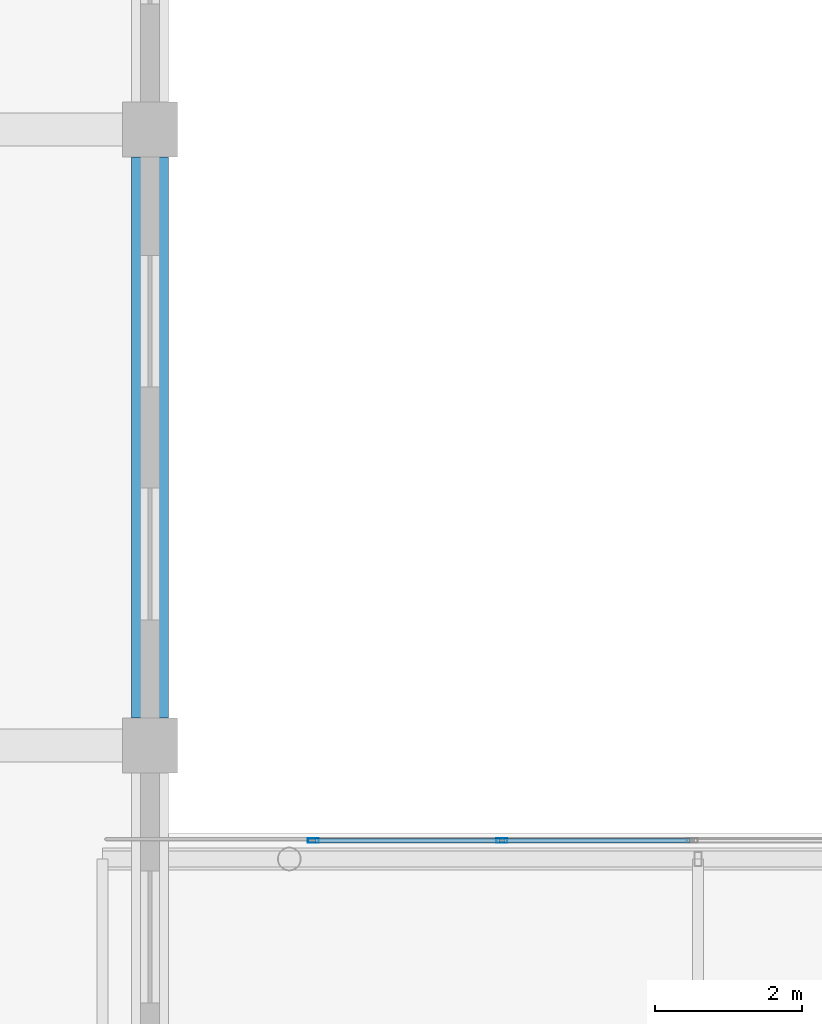
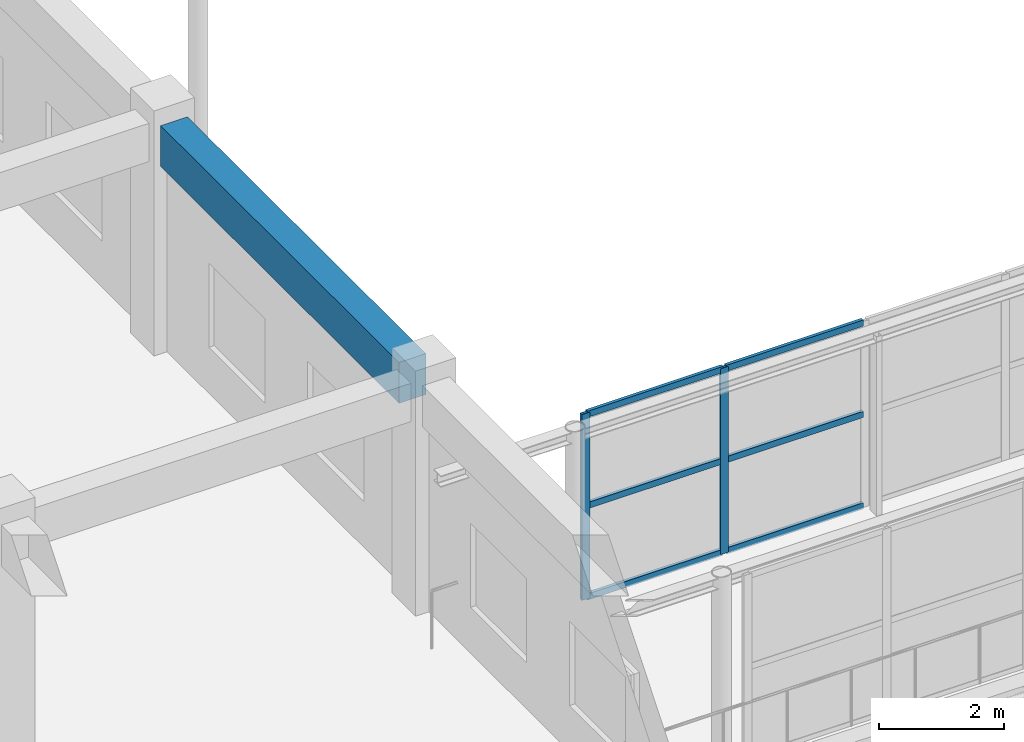
# One storey, part 72 of 175: 8 members, 1 beam, 1 element without a shape of its own.
"""IFC4 building model written with IfcOpenShell, lengths in metres."""

import ifcopenshell
import ifcopenshell.guid

model = None  # the IFC model being written
_history = None  # IfcOwnerHistory: only IFC2X3 demands one
_inside = {}  # id of a spatial element -> (the spatial element, [elements in it])
_under = {}  # id of a project, library or spatial element -> (it, [spatial elements below it])
_declared = {}  # id of a project -> (the project, [libraries it declares])
_typed = {}  # id of a type object -> (the type object, [elements of that type])
_made_of = {}  # id of a material, layer set ... -> (it, [elements and type objects made of it])


def new_model(schema):
    """Start an empty IFC model of exactly this schema.

    Asked for "IFC4X3", IfcOpenShell would pick the latest addendum, in which some entities
    have other attributes; the version numbers below select the first issue.
    IFC2X3 requires an IfcOwnerHistory on every rooted entity: one is made here for all.
    """
    global model, _history
    if schema == "IFC4X3":
        model = ifcopenshell.file(schema_version=(4, 3, 0, 0))
    else:
        model = ifcopenshell.file(schema=schema)
    _inside.clear()
    _under.clear()
    _declared.clear()
    _typed.clear()
    _made_of.clear()
    _history = None
    if model.schema == "IFC2X3":
        org = make("IfcOrganization", Name="unknown")
        user = make(
            "IfcPersonAndOrganization",
            ThePerson=make("IfcPerson", FamilyName="unknown"),
            TheOrganization=org,
        )
        app = make(
            "IfcApplication",
            ApplicationDeveloper=org,
            Version="unknown",
            ApplicationFullName="unknown",
            ApplicationIdentifier="unknown",
        )
        _history = make(
            "IfcOwnerHistory",
            OwningUser=user,
            OwningApplication=app,
            ChangeAction="ADDED",
            CreationDate=0,
        )
    return model


def make(cls, **values):
    """One entity of the class cls with the attributes given. An attribute that is None is left unset."""
    return model.create_entity(
        cls, **{name: value for name, value in values.items() if value is not None}
    )


def rooted(cls, **values):
    """An entity with a GlobalId (a new one), such as an element, a storey or a relation."""
    return make(cls, GlobalId=ifcopenshell.guid.new(), OwnerHistory=_history, **values)


def si_unit(unit_type, name, prefix=None):
    """IfcSIUnit, for example si_unit("LENGTHUNIT", "METRE", prefix="MILLI")."""
    return make("IfcSIUnit", UnitType=unit_type, Prefix=prefix, Name=name)


def assignment(units):
    """IfcUnitAssignment: the units of a project."""
    return None if units is None else make("IfcUnitAssignment", Units=units)


def point(xyz):
    """IfcCartesianPoint."""
    return None if xyz is None else make("IfcCartesianPoint", Coordinates=xyz)


def direction(xyz):
    """IfcDirection."""
    return None if xyz is None else make("IfcDirection", DirectionRatios=xyz)


def frame(location, z_axis=None, x_axis=None):
    """IfcAxis2Placement3D, a coordinate frame: its origin and axes. An axis left out is left unset."""
    return make(
        "IfcAxis2Placement3D",
        Location=point(location),
        Axis=direction(z_axis),
        RefDirection=direction(x_axis),
    )


def frame_2d(location, x_axis=None):
    """IfcAxis2Placement2D, a coordinate frame in the plane: its origin and x axis."""
    return make(
        "IfcAxis2Placement2D", Location=point(location), RefDirection=direction(x_axis)
    )


def origin():
    """The frame at (0, 0, 0) with its axes left unset."""
    return frame((0.0, 0.0, 0.0))


def origin_2d():
    """The frame at (0, 0) in the plane with its x axis left unset."""
    return frame_2d((0.0, 0.0))


def place(relative_to, where):
    """IfcLocalPlacement: puts the frame where relative to a parent placement (None: the world)."""
    return make(
        "IfcLocalPlacement", PlacementRelTo=relative_to, RelativePlacement=where
    )


def context(
    kind, dimensions, precision=None, world=None, true_north=None, identifier=None
):
    """IfcGeometricRepresentationContext, for example the 3D "Model" context."""
    return make(
        "IfcGeometricRepresentationContext",
        ContextIdentifier=identifier,
        ContextType=kind,
        CoordinateSpaceDimension=dimensions,
        Precision=precision,
        WorldCoordinateSystem=world,
        TrueNorth=true_north,
    )


def subcontext(parent, identifier, kind, view, scale=None):
    """IfcGeometricRepresentationSubContext, for example "Body" below "Model"."""
    return make(
        "IfcGeometricRepresentationSubContext",
        ContextIdentifier=identifier,
        ContextType=kind,
        ParentContext=parent,
        TargetScale=scale,
        TargetView=view,
    )


def project(units=None, contexts=None):
    """IfcProject with its units and contexts."""
    return rooted(
        "IfcProject",
        Name="project",
        RepresentationContexts=contexts,
        UnitsInContext=assignment(units),
    )


def spatial(cls, under=None, at=None, **own):
    """A site, building, storey or space (cls), placed at a placement, below another one or the project."""
    s = rooted(cls, ObjectPlacement=at, **own)
    if under is not None:
        _under.setdefault(under.id(), (under, []))[1].append(s)
    return s


def profile(cls, at=None, kind="AREA", **sizes):
    """A parametric profile (cls). Its sizes go by their IFC names, for example OverallWidth=200.0."""
    return make(cls, ProfileType=kind, Position=at, **sizes)


def rectangle(**sizes):
    """IfcRectangleProfileDef."""
    return profile("IfcRectangleProfileDef", **sizes)


def hollow_rectangle(**sizes):
    """IfcRectangleHollowProfileDef."""
    return profile("IfcRectangleHollowProfileDef", **sizes)


def extrude(swept, where, along, depth):
    """IfcExtrudedAreaSolid: the profile swept, set in the frame where, extruded along a direction by depth."""
    return make(
        "IfcExtrudedAreaSolid",
        SweptArea=swept,
        Position=where,
        ExtrudedDirection=direction(along),
        Depth=depth,
    )


def shape(context_of_items, identifier, shape_type, items):
    """IfcShapeRepresentation: the items that make up one representation, for example the "Body"."""
    return make(
        "IfcShapeRepresentation",
        ContextOfItems=context_of_items,
        RepresentationIdentifier=identifier,
        RepresentationType=shape_type,
        Items=items,
    )


def material(Name=None, Category=None):
    """IfcMaterial."""
    return make("IfcMaterial", Name=Name, Category=Category)


def layer(
    of_material, thickness, ventilated=None, Name=None, Category=None, Priority=None
):
    """IfcMaterialLayer: one layer of a wall or slab, of a material (None: an air gap)."""
    return make(
        "IfcMaterialLayer",
        Material=of_material,
        LayerThickness=thickness,
        IsVentilated=ventilated,
        Name=Name,
        Category=Category,
        Priority=Priority,
    )


def layer_set(layers, Name=None):
    """IfcMaterialLayerSet."""
    return make("IfcMaterialLayerSet", MaterialLayers=layers, LayerSetName=Name)


def material_profile(
    of_material, cross_section, Name=None, Category=None, Priority=None
):
    """IfcMaterialProfile: a cross section and its material."""
    return make(
        "IfcMaterialProfile",
        Name=Name,
        Material=of_material,
        Profile=cross_section,
        Priority=Priority,
        Category=Category,
    )


def profile_set(profiles, Name=None, composite=None):
    """IfcMaterialProfileSet."""
    return make(
        "IfcMaterialProfileSet",
        Name=Name,
        MaterialProfiles=profiles,
        CompositeProfile=composite,
    )


def made_of(thing, what):
    """Note that an element or type object is made of a material, layer set ...; save() writes the relation."""
    if what is not None:
        _made_of.setdefault(what.id(), (what, []))[1].append(thing)
    return thing


def type_object(cls, material=None, **own):
    """A type object (cls), such as IfcWallType, which elements share."""
    return made_of(rooted(cls, **own), material)


def element(
    cls,
    number,
    at=None,
    inside=None,
    cuts=None,
    type_object=None,
    material=None,
    context=None,
    identifier="Body",
    shape_type=None,
    held_by="IfcProductDefinitionShape",
    body=None,
    shapes=None,
    **own,
):
    """One element of the class cls, such as IfcWall. Its Tag is "e" and its number.

    at: its placement. inside: the storey or other place that contains it. cuts: it is an
    opening in that element (IfcRelVoidsElement). A single representation is given by context,
    identifier, shape_type and body (its items); several are given by shapes. held_by: the class
    of the entity that holds the representations. save() writes the other relations.
    """
    e = rooted(cls, Tag="e%d" % number, ObjectPlacement=at, **own)
    if body is not None:
        shapes = [shape(context, identifier, shape_type, body)]
    if shapes is not None:
        e.Representation = make(held_by, Representations=shapes)
    if inside is not None:
        _inside.setdefault(inside.id(), (inside, []))[1].append(e)
    if cuts is not None:
        rooted(
            "IfcRelVoidsElement", RelatingBuildingElement=cuts, RelatedOpeningElement=e
        )
    if type_object is not None:
        _typed.setdefault(type_object.id(), (type_object, []))[1].append(e)
    return made_of(e, material)


def aggregate(whole, parts):
    """IfcRelAggregates: a whole, such as a stair, and the parts it consists of."""
    return rooted("IfcRelAggregates", RelatingObject=whole, RelatedObjects=parts)


def save(model, path):
    """Write the relations noted so far, then the file.

    IfcRelAggregates (storeys below a building ...), IfcRelContainedInSpatialStructure (elements
    in a storey), IfcRelDefinesByType, IfcRelAssociatesMaterial and IfcRelDeclares: one each for
    every whole, place, type object, material and project.
    """
    for whole, parts in _under.values():
        aggregate(whole, parts)
    for where, things in _inside.values():
        rooted(
            "IfcRelContainedInSpatialStructure",
            RelatedElements=things,
            RelatingStructure=where,
        )
    for kind, things in _typed.values():
        rooted("IfcRelDefinesByType", RelatedObjects=things, RelatingType=kind)
    for what, things in _made_of.values():
        rooted("IfcRelAssociatesMaterial", RelatedObjects=things, RelatingMaterial=what)
    for by, libraries in _declared.values():
        rooted("IfcRelDeclares", RelatingContext=by, RelatedDefinitions=libraries)
    model.write(path)


model = new_model("IFC4")

# Units and contexts
model_context = context("Model", 3, precision=1e-05, world=origin(), true_north=direction((0.0, 1.0)))
body_context = subcontext(model_context, "Body", "Model", "MODEL_VIEW")
ifc_project = project(units=[si_unit("LENGTHUNIT", "METRE"), si_unit("AREAUNIT", "SQUARE_METRE"), si_unit("VOLUMEUNIT", "CUBIC_METRE"), si_unit("PLANEANGLEUNIT", "RADIAN"), si_unit("MASSUNIT", "GRAM", prefix="KILO")], contexts=[model_context])

# Site, building, storey
site_placement = place(None, origin())
site = spatial("IfcSite", under=ifc_project, at=site_placement, CompositionType="ELEMENT")
building_placement = place(site_placement, origin())
building = spatial("IfcBuilding", under=site, at=building_placement, Name="Zizhar Promenade General Hospital", CompositionType="ELEMENT")
storey_placement = place(building_placement, frame((0.0, 0.0, 4.800048828125)))
storey = spatial("IfcBuildingStorey", under=building, at=storey_placement, Name="L01", CompositionType="ELEMENT", Elevation=4.800048828125)

# Beam
ifc_material_1 = material(Name="Concrete C35/45", Category="concrete")
ifc_material_profile_1 = material_profile(ifc_material_1, rectangle(XDim=0.5, YDim=0.800048828125, at=origin_2d()))
ifc_profile_set_1 = profile_set([ifc_material_profile_1], Name="Concrete C35/45")
beam_type = type_object("IfcBeamType", Name="BM-RC-500x800", PredefinedType="BEAM", material=ifc_profile_set_1)
beam_placement = place(storey_placement, frame((70.199951171875, 67.574951171875, 4.070068359375), z_axis=(0.0, 1.0, 0.0), x_axis=(-1.0, 0.0, 0.0)))
element("IfcBeam", 1, at=beam_placement, inside=storey, type_object=beam_type, Name="Grid Beam Y L01 (9-8)", PredefinedType="BEAM", context=body_context, shape_type="SweptSolid", body=[
    extrude(rectangle(XDim=0.5, YDim=0.800048828125, at=origin_2d()), origin(), (0.0, 0.0, 1.0), 7.650146484375),
])

# Curtain wall, members
ifc_material_2 = material(Name="Anodised aluminium 6063-T6 and low-E glass", Category="aluminium")
ifc_layer = layer(ifc_material_2, 0.159912109375)
ifc_layer_set = layer_set([ifc_layer], Name="Anodised aluminium 6063-T6 and low-E glass")
curtain_wall_type = type_object("IfcCurtainWallType", Name="CW-SKY-GLZ", PredefinedType="NOTDEFINED", material=ifc_layer_set)
curtain_wall_placement = place(storey_placement, origin())
curtain_wall = element("IfcCurtainWall", 2, at=curtain_wall_placement, inside=storey, type_object=curtain_wall_type, Name="Courtyard Clinical Skybridge Level L01 North Glazing 1", PredefinedType="NOTDEFINED")
ifc_material_3 = material(Name="Anodised aluminium 6063-T6", Category="aluminium")
ifc_material_profile_2 = material_profile(ifc_material_3, hollow_rectangle(XDim=0.06005859375, YDim=0.14990234375, WallThickness=0.00390625, at=origin_2d()))
ifc_profile_set_2 = profile_set([ifc_material_profile_2], Name="Anodised aluminium 6063-T6")
member_type_1 = type_object("IfcMemberType", Name="CWM-ALU-150x60", PredefinedType="MULLION", material=ifc_profile_set_2)
member_1_placement = place(storey_placement, frame((72.429931640625, 65.89990234375, 0.0), z_axis=(0.0, 0.0, 1.0), x_axis=(0.0, 1.0, 0.0)))
member_1 = element("IfcMember", 3, at=member_1_placement, type_object=member_type_1, Name="CW-15 mullion 1", PredefinedType="MULLION", context=body_context, shape_type="SweptSolid", body=[
    extrude(hollow_rectangle(XDim=0.06005859375, YDim=0.14990234375, WallThickness=0.00390625, at=origin_2d()), origin(), (0.0, 0.0, 1.0), 3.639892578125),
])
member_2_placement = place(storey_placement, frame((75.0, 65.89990234375, 0.0), z_axis=(0.0, 0.0, 1.0), x_axis=(0.0, 1.0, 0.0)))
member_2 = element("IfcMember", 4, at=member_2_placement, type_object=member_type_1, Name="CW-15 mullion 2", PredefinedType="MULLION", context=body_context, shape_type="SweptSolid", body=[
    extrude(hollow_rectangle(XDim=0.06005859375, YDim=0.14990234375, WallThickness=0.00390625, at=origin_2d()), origin(), (0.0, 0.0, 1.0), 3.639892578125),
])
ifc_material_4 = material(Name="Anodised aluminium 6063-T6", Category="aluminium")
ifc_material_profile_3 = material_profile(ifc_material_4, hollow_rectangle(XDim=0.06005859375, YDim=0.1201171875, WallThickness=0.00390625, at=origin_2d()))
ifc_profile_set_3 = profile_set([ifc_material_profile_3], Name="Anodised aluminium 6063-T6")
member_type_2 = type_object("IfcMemberType", Name="CWT-ALU-120x60", PredefinedType="USERDEFINED", material=ifc_profile_set_3)
member_3_placement = place(storey_placement, frame((72.4599609375, 65.89990234375, 0.030029296875), z_axis=(1.0, 0.0, 0.0), x_axis=(0.0, 1.0, 0.0)))
member_3 = element("IfcMember", 5, at=member_3_placement, type_object=member_type_2, Name="CW-15 transom 1.1", ObjectType="TRANSOM", PredefinedType="USERDEFINED", context=body_context, shape_type="SweptSolid", body=[
    extrude(hollow_rectangle(XDim=0.06005859375, YDim=0.1201171875, WallThickness=0.00390625, at=origin_2d()), origin(), (0.0, 0.0, 1.0), 2.510009765625),
])
member_4_placement = place(storey_placement, frame((72.4599609375, 65.89990234375, 1.820068359375), z_axis=(1.0, 0.0, 0.0), x_axis=(0.0, 1.0, 0.0)))
member_4 = element("IfcMember", 6, at=member_4_placement, type_object=member_type_2, Name="CW-15 transom 1.2", ObjectType="TRANSOM", PredefinedType="USERDEFINED", context=body_context, shape_type="SweptSolid", body=[
    extrude(hollow_rectangle(XDim=0.06005859375, YDim=0.1201171875, WallThickness=0.00390625, at=origin_2d()), origin(), (0.0, 0.0, 1.0), 2.510009765625),
])
member_5_placement = place(storey_placement, frame((72.4599609375, 65.89990234375, 3.60986328125), z_axis=(1.0, 0.0, 0.0), x_axis=(0.0, 1.0, 0.0)))
member_5 = element("IfcMember", 7, at=member_5_placement, type_object=member_type_2, Name="CW-15 transom 1.3", ObjectType="TRANSOM", PredefinedType="USERDEFINED", context=body_context, shape_type="SweptSolid", body=[
    extrude(hollow_rectangle(XDim=0.06005859375, YDim=0.1201171875, WallThickness=0.00390625, at=origin_2d()), origin(), (0.0, 0.0, 1.0), 2.510009765625),
])
member_6_placement = place(storey_placement, frame((75.030029296875, 65.89990234375, 0.030029296875), z_axis=(1.0, 0.0, 0.0), x_axis=(0.0, 1.0, 0.0)))
member_6 = element("IfcMember", 8, at=member_6_placement, type_object=member_type_2, Name="CW-15 transom 2.1", ObjectType="TRANSOM", PredefinedType="USERDEFINED", context=body_context, shape_type="SweptSolid", body=[
    extrude(hollow_rectangle(XDim=0.06005859375, YDim=0.1201171875, WallThickness=0.00390625, at=origin_2d()), origin(), (0.0, 0.0, 1.0), 2.5400390625),
])
member_7_placement = place(storey_placement, frame((75.030029296875, 65.89990234375, 1.820068359375), z_axis=(1.0, 0.0, 0.0), x_axis=(0.0, 1.0, 0.0)))
member_7 = element("IfcMember", 9, at=member_7_placement, type_object=member_type_2, Name="CW-15 transom 2.2", ObjectType="TRANSOM", PredefinedType="USERDEFINED", context=body_context, shape_type="SweptSolid", body=[
    extrude(hollow_rectangle(XDim=0.06005859375, YDim=0.1201171875, WallThickness=0.00390625, at=origin_2d()), origin(), (0.0, 0.0, 1.0), 2.5400390625),
])
member_8_placement = place(storey_placement, frame((75.030029296875, 65.89990234375, 3.60986328125), z_axis=(1.0, 0.0, 0.0), x_axis=(0.0, 1.0, 0.0)))
member_8 = element("IfcMember", 10, at=member_8_placement, type_object=member_type_2, Name="CW-15 transom 2.3", ObjectType="TRANSOM", PredefinedType="USERDEFINED", context=body_context, shape_type="SweptSolid", body=[
    extrude(hollow_rectangle(XDim=0.06005859375, YDim=0.1201171875, WallThickness=0.00390625, at=origin_2d()), origin(), (0.0, 0.0, 1.0), 2.5400390625),
])
aggregate(curtain_wall, [member_1, member_2, member_3, member_4, member_5, member_6, member_7, member_8])

save(model, "model.ifc")
